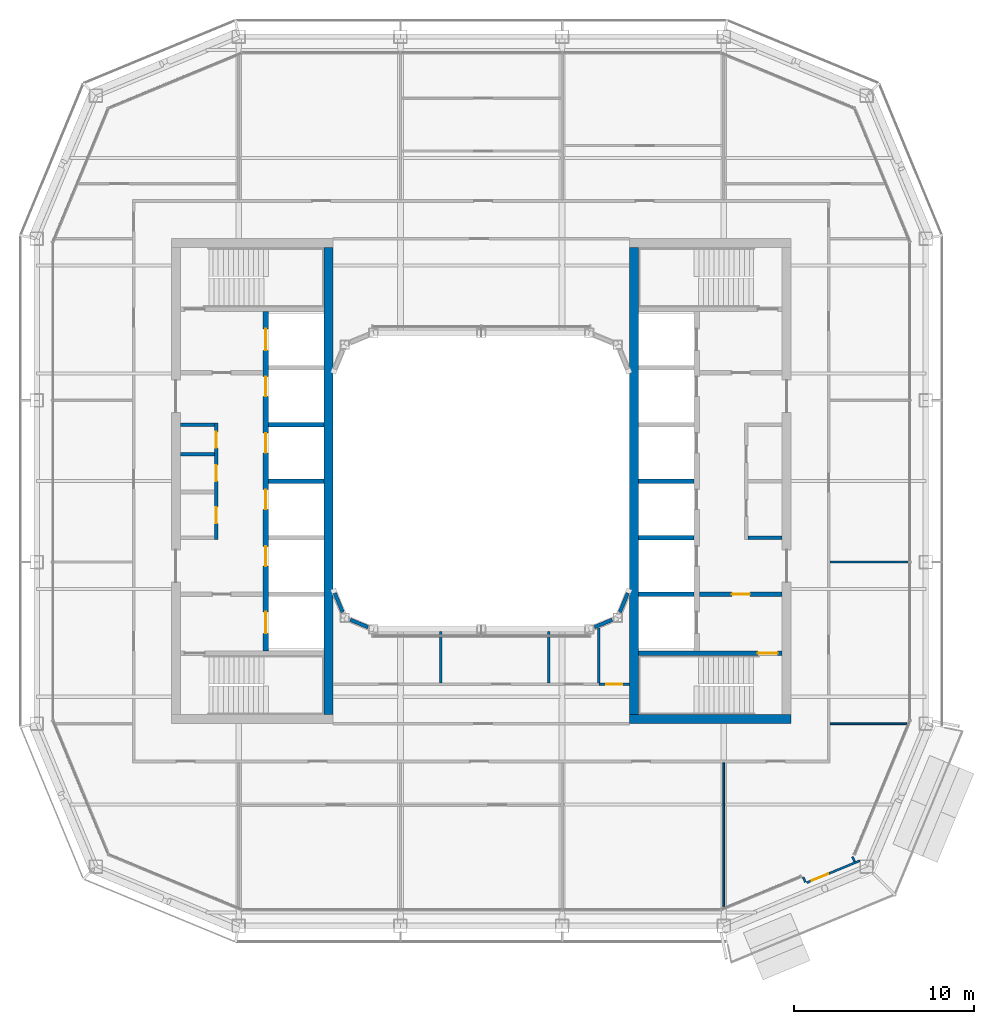
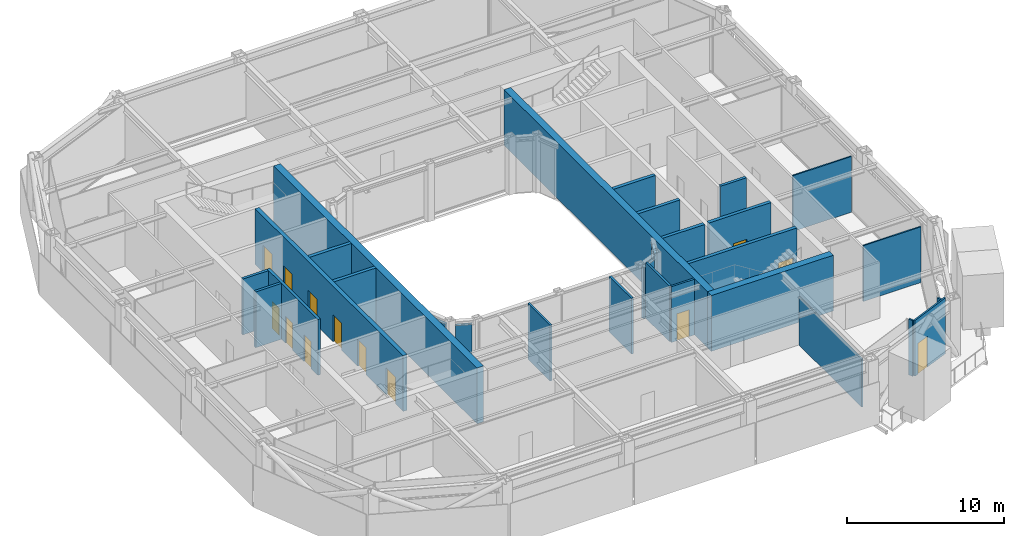
# One storey, part 11 of 21: 29 walls, 13 doors, 13 openings.
"""IFC4 building model written with IfcOpenShell, lengths in metres."""

from ifc_helpers import new_model, si_unit, direction, frame, frame_2d, origin, place, context, subcontext, project, spatial, rectangle, extrude, material, layer, layer_set, type_object, element, fill, save


model = new_model("IFC4")

# Units and contexts
model_context = context("Model", 3, precision=1e-05, world=origin(), true_north=direction((0.0, 1.0)))
body_context = subcontext(model_context, "Body", "Model", "MODEL_VIEW")
ifc_project = project(units=[si_unit("LENGTHUNIT", "METRE"), si_unit("AREAUNIT", "SQUARE_METRE"), si_unit("VOLUMEUNIT", "CUBIC_METRE"), si_unit("PLANEANGLEUNIT", "RADIAN"), si_unit("MASSUNIT", "GRAM", prefix="KILO")], contexts=[model_context])

# Site, building, storey
site_placement = place(None, origin())
site = spatial("IfcSite", under=ifc_project, at=site_placement, CompositionType="ELEMENT")
building_placement = place(site_placement, origin())
building = spatial("IfcBuilding", under=site, at=building_placement, Name="Siwar Civic Tower", CompositionType="ELEMENT")
storey_placement = place(building_placement, frame((0.0, 0.0, 303.199951171875)))
storey = spatial("IfcBuildingStorey", under=building, at=storey_placement, Name="L65", CompositionType="ELEMENT", Elevation=303.199951171875)

# Wall, opening, door
ifc_material_1 = material(Name="Gypsum board on steel studs", Category="steel")
ifc_layer_1 = layer(ifc_material_1, 0.14990234375)
ifc_layer_set_1 = layer_set([ifc_layer_1], Name="Gypsum board on steel studs")
wall_type_1 = type_object("IfcWallType", Name="COMPARTMENT PARTITION 150 EI 60", PredefinedType="PARTITIONING", material=ifc_layer_set_1)
wall_1_placement = place(storey_placement, frame((6.5400390625, -11.300048828125, 0.0), z_axis=(0.0, 0.0, 1.0), x_axis=(1.0, 0.0, 0.0)))
wall_1 = element("IfcWall", 1, at=wall_1_placement, inside=storey, type_object=wall_type_1, Name="L65/wall/P07", PredefinedType="PARTITIONING", context=body_context, shape_type="SweptSolid", body=[
    extrude(rectangle(XDim=1.7099609375, YDim=0.14990234375, at=frame_2d((0.85498046875, 0.0))), origin(), (0.0, 0.0, 1.0), 4.35009765625),
])
opening_1_placement = place(wall_1_placement, frame((0.409912109375, 0.0, 0.0)))
opening_1 = element("IfcOpeningElement", 2, at=opening_1_placement, cuts=wall_1, Name="Opening D4", PredefinedType="OPENING", context=body_context, shape_type="SweptSolid", body=[
    extrude(rectangle(XDim=0.89990234375, YDim=2.10009765625, at=frame_2d((0.449951171875, 1.050048828125))), frame((0.0, 0.0849609375, 0.0), z_axis=(0.0, -1.0, 0.0), x_axis=(1.0, 0.0, 0.0)), (0.0, 0.0, 1.0), 0.169921875),
])
ifc_material_2 = material(Name="Timber, painted", Category="wood")
door_type_1 = type_object("IfcDoorType", Name="DOOR 900 X 2100 FD60", OperationType="SINGLE_SWING_LEFT", PredefinedType="DOOR", material=ifc_material_2)
door_1_placement = place(opening_1_placement, origin())
door_1 = element("IfcDoor", 3, at=door_1_placement, inside=storey, type_object=door_type_1, Name="L65-D29", OperationType="SINGLE_SWING_LEFT", OverallHeight=2.10009765625, OverallWidth=0.89990234375, PredefinedType="DOOR", context=body_context, shape_type="SweptSolid", body=[
    extrude(rectangle(XDim=0.89990234375, YDim=2.10009765625, at=frame_2d((0.449951171875, 1.050048828125))), frame((0.0, 0.02490234375, 0.0), z_axis=(0.0, -1.0, 0.0), x_axis=(1.0, 0.0, 0.0)), (0.0, 0.0, 1.0), 0.050048828125),
])
fill(opening_1, door_1)

# Wall
wall_2_placement = place(storey_placement, frame((6.5400390625, -11.22509765625, 0.0), z_axis=(0.0, 0.0, 1.0), x_axis=(0.0, 1.0, 0.0)))
element("IfcWall", 4, at=wall_2_placement, inside=storey, type_object=wall_type_1, Name="L65/wall/P31", PredefinedType="PARTITIONING", context=body_context, shape_type="SweptSolid", body=[
    extrude(rectangle(XDim=3.0390625, YDim=0.14990234375, at=frame_2d((1.51953125, 0.0))), origin(), (0.0, 0.0, 1.0), 4.35009765625),
])

# Wall, openings, doors
ifc_material_3 = material(Name="Gypsum board on steel studs", Category="steel")
ifc_layer_2 = layer(ifc_material_3, 0.199951171875)
ifc_layer_set_2 = layer_set([ifc_layer_2], Name="Gypsum board on steel studs")
wall_type_2 = type_object("IfcWallType", Name="CORE-PARTITION-200", PredefinedType="PARTITIONING", material=ifc_layer_set_2)
wall_3_placement = place(storey_placement, frame((-14.75, -3.25, 0.0), z_axis=(0.0, 0.0, 1.0), x_axis=(0.0, 1.0, 0.0)))
wall_3 = element("IfcWall", 5, at=wall_3_placement, inside=storey, type_object=wall_type_2, Name="Core partition W", PredefinedType="PARTITIONING", context=body_context, shape_type="SweptSolid", body=[
    extrude(rectangle(XDim=6.5, YDim=0.199951171875, at=frame_2d((3.25, 0.0))), origin(), (0.0, 0.0, 1.0), 4.35009765625),
])
opening_2_placement = place(wall_3_placement, frame((0.89990234375, 0.0, 0.0)))
opening_2 = element("IfcOpeningElement", 6, at=opening_2_placement, cuts=wall_3, Name="Opening L65-CW13", PredefinedType="OPENING", context=body_context, shape_type="SweptSolid", body=[
    extrude(rectangle(XDim=0.89990234375, YDim=2.10009765625, at=frame_2d((0.449951171875, 1.050048828125))), frame((0.0, 0.10986328125, 0.0), z_axis=(0.0, -1.0, 0.0), x_axis=(1.0, 0.0, 0.0)), (0.0, 0.0, 1.0), 0.219970703125),
])
opening_3_placement = place(wall_3_placement, frame((3.25, 0.0, 0.0)))
opening_3 = element("IfcOpeningElement", 7, at=opening_3_placement, cuts=wall_3, Name="Opening L65-CW14", PredefinedType="OPENING", context=body_context, shape_type="SweptSolid", body=[
    extrude(rectangle(XDim=0.89990234375, YDim=2.10009765625, at=frame_2d((0.449951171875, 1.050048828125))), frame((0.0, 0.10986328125, 0.0), z_axis=(0.0, -1.0, 0.0), x_axis=(1.0, 0.0, 0.0)), (0.0, 0.0, 1.0), 0.219970703125),
])
opening_4_placement = place(wall_3_placement, frame((5.10009765625, 0.0, 0.0)))
opening_4 = element("IfcOpeningElement", 8, at=opening_4_placement, cuts=wall_3, Name="Opening L65-CW15", PredefinedType="OPENING", context=body_context, shape_type="SweptSolid", body=[
    extrude(rectangle(XDim=0.89990234375, YDim=2.10009765625, at=frame_2d((0.449951171875, 1.050048828125))), frame((0.0, 0.10986328125, 0.0), z_axis=(0.0, -1.0, 0.0), x_axis=(1.0, 0.0, 0.0)), (0.0, 0.0, 1.0), 0.219970703125),
])
ifc_material_4 = material(Name="Steel door leaf", Category="steel")
door_type_2 = type_object("IfcDoorType", Name="CORE-DOOR-ROOM", OperationType="SINGLE_SWING_LEFT", PredefinedType="DOOR", material=ifc_material_4)
door_2_placement = place(opening_2_placement, origin())
door_2 = element("IfcDoor", 9, at=door_2_placement, inside=storey, type_object=door_type_2, Name="Core room door L65-CW13", OperationType="SINGLE_SWING_RIGHT", OverallHeight=2.10009765625, OverallWidth=0.89990234375, PredefinedType="DOOR", context=body_context, shape_type="SweptSolid", body=[
    extrude(rectangle(XDim=0.89990234375, YDim=2.10009765625, at=frame_2d((0.449951171875, 1.050048828125))), frame((0.0, 0.02490234375, 0.0), z_axis=(0.0, -1.0, 0.0), x_axis=(1.0, 0.0, 0.0)), (0.0, 0.0, 1.0), 0.050048828125),
])
fill(opening_2, door_2)
door_3_placement = place(opening_3_placement, origin())
door_3 = element("IfcDoor", 10, at=door_3_placement, inside=storey, type_object=door_type_2, Name="Core room door L65-CW14", OperationType="SINGLE_SWING_RIGHT", OverallHeight=2.10009765625, OverallWidth=0.89990234375, PredefinedType="DOOR", context=body_context, shape_type="SweptSolid", body=[
    extrude(rectangle(XDim=0.89990234375, YDim=2.10009765625, at=frame_2d((0.449951171875, 1.050048828125))), frame((0.0, 0.02490234375, 0.0), z_axis=(0.0, -1.0, 0.0), x_axis=(1.0, 0.0, 0.0)), (0.0, 0.0, 1.0), 0.050048828125),
])
fill(opening_3, door_3)
door_4_placement = place(opening_4_placement, origin())
door_4 = element("IfcDoor", 11, at=door_4_placement, inside=storey, type_object=door_type_2, Name="Core room door L65-CW15", OperationType="SINGLE_SWING_RIGHT", OverallHeight=2.10009765625, OverallWidth=0.89990234375, PredefinedType="DOOR", context=body_context, shape_type="SweptSolid", body=[
    extrude(rectangle(XDim=0.89990234375, YDim=2.10009765625, at=frame_2d((0.449951171875, 1.050048828125))), frame((0.0, 0.02490234375, 0.0), z_axis=(0.0, -1.0, 0.0), x_axis=(1.0, 0.0, 0.0)), (0.0, 0.0, 1.0), 0.050048828125),
])
fill(opening_4, door_4)

# Walls
for number, where, z_axis, x_axis, name in (
    (12, (-14.85009765625, 3.14990234375, 0.0), (0.0, 0.0, 1.0), (-1.0, 0.0, 0.0), "Core partition W"),
    (13, (-14.85009765625, 1.5, 0.0), (0.0, 0.0, 1.0), (-1.0, 0.0, 0.0), "Core partition W"),
    (14, (14.85009765625, -3.14990234375, 0.0), (0.0, 0.0, 1.0), (1.0, 0.0, 0.0), "Core partition E"),
):
    element("IfcWall", number, at=place(storey_placement, frame(where, z_axis=z_axis, x_axis=x_axis)), inside=storey, type_object=wall_type_2, Name=name, PredefinedType="PARTITIONING", context=body_context, shape_type="SweptSolid", body=[
        extrude(rectangle(XDim=1.89990234375, YDim=0.199951171875, at=frame_2d((0.949951171875, 0.0))), origin(), (0.0, 0.0, 1.0), 4.35009765625),
    ])
ifc_material_5 = material(Name="Concrete C60/75", Category="concrete")
ifc_layer_3 = layer(ifc_material_5, 0.25)
ifc_layer_set_3 = layer_set([ifc_layer_3], Name="Concrete C60/75")
wall_type_3 = type_object("IfcWallType", Name="CORE-WALL-RC250", PredefinedType="SHEAR", material=ifc_layer_set_3)
for number, where, z_axis, x_axis, name in (
    (15, (-8.75, 0.0, 0.0), (0.0, 0.0, 1.0), (-1.0, 0.0, 0.0), "Core wall W"),
    (16, (-8.75, 3.14990234375, 0.0), (0.0, 0.0, 1.0), (-1.0, 0.0, 0.0), "Core wall W"),
):
    element("IfcWall", number, at=place(storey_placement, frame(where, z_axis=z_axis, x_axis=x_axis)), inside=storey, type_object=wall_type_3, Name=name, PredefinedType="SHEAR", context=body_context, shape_type="SweptSolid", body=[
        extrude(rectangle(XDim=3.10009765625, YDim=0.25, at=frame_2d((1.550048828125, 0.0))), origin(), (0.0, 0.0, 1.0), 4.35009765625),
    ])

# Wall, opening, door
wall_4_placement = place(storey_placement, frame((12.14990234375, -6.300048828125, 0.0), z_axis=(0.0, 0.0, 1.0), x_axis=(1.0, 0.0, 0.0)))
wall_4 = element("IfcWall", 17, at=wall_4_placement, inside=storey, type_object=wall_type_3, Name="Core wall E", PredefinedType="SHEAR", context=body_context, shape_type="SweptSolid", body=[
    extrude(rectangle(XDim=4.60009765625, YDim=0.25, at=frame_2d((2.300048828125, 0.0))), origin(), (0.0, 0.0, 1.0), 4.35009765625),
])
opening_5_placement = place(wall_4_placement, frame((1.800048828125, 0.0, 0.0)))
opening_5 = element("IfcOpeningElement", 18, at=opening_5_placement, cuts=wall_4, Name="Opening L65-CE02", PredefinedType="OPENING", context=body_context, shape_type="SweptSolid", body=[
    extrude(rectangle(XDim=1.0, YDim=2.10009765625, at=frame_2d((0.5, 1.050048828125))), frame((0.0, 0.135009765625, 0.0), z_axis=(0.0, -1.0, 0.0), x_axis=(1.0, 0.0, 0.0)), (0.0, 0.0, 1.0), 0.27001953125),
])
ifc_material_6 = material(Name="Steel door leaf", Category="steel")
door_type_3 = type_object("IfcDoorType", Name="CORE-DOOR-FD30S", OperationType="SINGLE_SWING_LEFT", PredefinedType="DOOR", material=ifc_material_6)
door_5_placement = place(opening_5_placement, origin())
door_5 = element("IfcDoor", 19, at=door_5_placement, inside=storey, type_object=door_type_3, Name="Service lobby door L65-CE02", OperationType="SINGLE_SWING_LEFT", OverallHeight=2.10009765625, OverallWidth=1.0, PredefinedType="DOOR", context=body_context, shape_type="SweptSolid", body=[
    extrude(rectangle(XDim=1.0, YDim=2.10009765625, at=frame_2d((0.5, 1.050048828125))), frame((0.0, 0.02490234375, 0.0), z_axis=(0.0, -1.0, 0.0), x_axis=(1.0, 0.0, 0.0)), (0.0, 0.0, 1.0), 0.050048828125),
])
fill(opening_5, door_5)

# Walls
for number, where, z_axis, x_axis, name in (
    (20, (8.75, 0.0, 0.0), (0.0, 0.0, 1.0), (1.0, 0.0, 0.0), "Core wall E"),
    (21, (8.75, -3.14990234375, 0.0), (0.0, 0.0, 1.0), (1.0, 0.0, 0.0), "Core wall E"),
    (22, (8.75, -6.300048828125, 0.0), (0.0, 0.0, 1.0), (1.0, 0.0, 0.0), "Core wall E"),
):
    element("IfcWall", number, at=place(storey_placement, frame(where, z_axis=z_axis, x_axis=x_axis)), inside=storey, type_object=wall_type_3, Name=name, PredefinedType="SHEAR", context=body_context, shape_type="SweptSolid", body=[
        extrude(rectangle(XDim=3.10009765625, YDim=0.25, at=frame_2d((1.550048828125, 0.0))), origin(), (0.0, 0.0, 1.0), 4.35009765625),
    ])

# Wall, opening, door
wall_5_placement = place(storey_placement, frame((8.75, -9.574951171875, 0.0), z_axis=(0.0, 0.0, 1.0), x_axis=(1.0, 0.0, 0.0)))
wall_5 = element("IfcWall", 23, at=wall_5_placement, inside=storey, type_object=wall_type_3, Name="Core wall E", PredefinedType="SHEAR", context=body_context, shape_type="SweptSolid", body=[
    extrude(rectangle(XDim=8.0, YDim=0.25, at=frame_2d((4.0, 0.0))), origin(), (0.0, 0.0, 1.0), 4.35009765625),
])
opening_6_placement = place(wall_5_placement, frame((6.64990234375, 0.0, 0.0)))
opening_6 = element("IfcOpeningElement", 24, at=opening_6_placement, cuts=wall_5, Name="Opening L65-CE04", PredefinedType="OPENING", context=body_context, shape_type="SweptSolid", body=[
    extrude(rectangle(XDim=1.10009765625, YDim=2.10009765625, at=frame_2d((0.550048828125, 1.050048828125))), frame((0.0, 0.135009765625, 0.0), z_axis=(0.0, -1.0, 0.0), x_axis=(1.0, 0.0, 0.0)), (0.0, 0.0, 1.0), 0.27001953125),
])
ifc_material_7 = material(Name="Steel door leaf", Category="steel")
door_type_4 = type_object("IfcDoorType", Name="CORE-DOOR-FD60S", OperationType="SINGLE_SWING_LEFT", PredefinedType="DOOR", material=ifc_material_7)
door_6_placement = place(opening_6_placement, origin())
door_6 = element("IfcDoor", 25, at=door_6_placement, inside=storey, type_object=door_type_4, Name="Stair door L65-CE04", OperationType="SINGLE_SWING_RIGHT", OverallHeight=2.10009765625, OverallWidth=1.10009765625, PredefinedType="DOOR", context=body_context, shape_type="SweptSolid", body=[
    extrude(rectangle(XDim=1.10009765625, YDim=2.10009765625, at=frame_2d((0.550048828125, 1.050048828125))), frame((0.0, 0.02490234375, 0.0), z_axis=(0.0, -1.0, 0.0), x_axis=(1.0, 0.0, 0.0)), (0.0, 0.0, 1.0), 0.050048828125),
])
fill(opening_6, door_6)

# Wall, openings, doors
ifc_material_8 = material(Name="Concrete C60/75", Category="concrete")
ifc_layer_4 = layer(ifc_material_8, 0.300048828125)
ifc_layer_set_4 = layer_set([ifc_layer_4], Name="Concrete C60/75")
wall_type_4 = type_object("IfcWallType", Name="CORE-WALL-RC300", PredefinedType="SHEAR", material=ifc_layer_set_4)
wall_6_placement = place(storey_placement, frame((-12.0, -9.449951171875, 0.0), z_axis=(0.0, 0.0, 1.0), x_axis=(0.0, 1.0, 0.0)))
wall_6 = element("IfcWall", 26, at=wall_6_placement, inside=storey, type_object=wall_type_4, Name="Core wall W", PredefinedType="SHEAR", context=body_context, shape_type="SweptSolid", body=[
    extrude(rectangle(XDim=18.89990234375, YDim=0.300048828125, at=frame_2d((9.449951171875, 0.0))), origin(), (0.0, 0.0, 1.0), 4.35009765625),
])
opening_7_placement = place(wall_6_placement, frame((4.72509765625, 0.0, 0.0)))
opening_7 = element("IfcOpeningElement", 27, at=opening_7_placement, cuts=wall_6, Name="Opening L65-CW07", PredefinedType="OPENING", context=body_context, shape_type="SweptSolid", body=[
    extrude(rectangle(XDim=1.10009765625, YDim=2.10009765625, at=frame_2d((0.550048828125, 1.050048828125))), frame((0.0, 0.16015625, 0.0), z_axis=(0.0, -1.0, 0.0), x_axis=(1.0, 0.0, 0.0)), (0.0, 0.0, 1.0), 0.320068359375),
])
opening_8_placement = place(wall_6_placement, frame((7.875, 0.0, 0.0)))
opening_8 = element("IfcOpeningElement", 28, at=opening_8_placement, cuts=wall_6, Name="Opening L65-CW08", PredefinedType="OPENING", context=body_context, shape_type="SweptSolid", body=[
    extrude(rectangle(XDim=1.10009765625, YDim=2.10009765625, at=frame_2d((0.550048828125, 1.050048828125))), frame((0.0, 0.16015625, 0.0), z_axis=(0.0, -1.0, 0.0), x_axis=(1.0, 0.0, 0.0)), (0.0, 0.0, 1.0), 0.320068359375),
])
opening_9_placement = place(wall_6_placement, frame((11.02490234375, 0.0, 0.0)))
opening_9 = element("IfcOpeningElement", 29, at=opening_9_placement, cuts=wall_6, Name="Opening L65-CW09", PredefinedType="OPENING", context=body_context, shape_type="SweptSolid", body=[
    extrude(rectangle(XDim=1.10009765625, YDim=2.10009765625, at=frame_2d((0.550048828125, 1.050048828125))), frame((0.0, 0.16015625, 0.0), z_axis=(0.0, -1.0, 0.0), x_axis=(1.0, 0.0, 0.0)), (0.0, 0.0, 1.0), 0.320068359375),
])
opening_10_placement = place(wall_6_placement, frame((14.175048828125, 0.0, 0.0)))
opening_10 = element("IfcOpeningElement", 30, at=opening_10_placement, cuts=wall_6, Name="Opening L65-CW10", PredefinedType="OPENING", context=body_context, shape_type="SweptSolid", body=[
    extrude(rectangle(XDim=1.10009765625, YDim=2.10009765625, at=frame_2d((0.550048828125, 1.050048828125))), frame((0.0, 0.16015625, 0.0), z_axis=(0.0, -1.0, 0.0), x_axis=(1.0, 0.0, 0.0)), (0.0, 0.0, 1.0), 0.320068359375),
])
opening_11_placement = place(wall_6_placement, frame((16.72509765625, 0.0, 0.0)))
opening_11 = element("IfcOpeningElement", 31, at=opening_11_placement, cuts=wall_6, Name="Opening L65-CW11", PredefinedType="OPENING", context=body_context, shape_type="SweptSolid", body=[
    extrude(rectangle(XDim=1.199951171875, YDim=2.10009765625, at=frame_2d((0.60009765625, 1.050048828125))), frame((0.0, 0.16015625, 0.0), z_axis=(0.0, -1.0, 0.0), x_axis=(1.0, 0.0, 0.0)), (0.0, 0.0, 1.0), 0.320068359375),
])
opening_12_placement = place(wall_6_placement, frame((0.97509765625, 0.0, 0.0)))
opening_12 = element("IfcOpeningElement", 32, at=opening_12_placement, cuts=wall_6, Name="Opening L65-CW12", PredefinedType="OPENING", context=body_context, shape_type="SweptSolid", body=[
    extrude(rectangle(XDim=1.199951171875, YDim=2.10009765625, at=frame_2d((0.60009765625, 1.050048828125))), frame((0.0, 0.16015625, 0.0), z_axis=(0.0, -1.0, 0.0), x_axis=(1.0, 0.0, 0.0)), (0.0, 0.0, 1.0), 0.320068359375),
])
ifc_material_9 = material(Name="Steel door leaf", Category="steel")
door_type_5 = type_object("IfcDoorType", Name="CORE-DOOR-LD", OperationType="DOUBLE_DOOR_SLIDING", PredefinedType="DOOR", material=ifc_material_9)
door_7_placement = place(opening_7_placement, origin())
door_7 = element("IfcDoor", 33, at=door_7_placement, inside=storey, type_object=door_type_5, Name="Landing door HR1 L65-CW07", OperationType="DOUBLE_DOOR_SLIDING", OverallHeight=2.10009765625, OverallWidth=1.10009765625, PredefinedType="DOOR", context=body_context, shape_type="SweptSolid", body=[
    extrude(rectangle(XDim=1.10009765625, YDim=2.10009765625, at=frame_2d((0.550048828125, 1.050048828125))), frame((0.0, 0.02490234375, 0.0), z_axis=(0.0, -1.0, 0.0), x_axis=(1.0, 0.0, 0.0)), (0.0, 0.0, 1.0), 0.050048828125),
])
fill(opening_7, door_7)
door_8_placement = place(opening_8_placement, origin())
door_8 = element("IfcDoor", 34, at=door_8_placement, inside=storey, type_object=door_type_5, Name="Landing door HR2 L65-CW08", OperationType="DOUBLE_DOOR_SLIDING", OverallHeight=2.10009765625, OverallWidth=1.10009765625, PredefinedType="DOOR", context=body_context, shape_type="SweptSolid", body=[
    extrude(rectangle(XDim=1.10009765625, YDim=2.10009765625, at=frame_2d((0.550048828125, 1.050048828125))), frame((0.0, 0.02490234375, 0.0), z_axis=(0.0, -1.0, 0.0), x_axis=(1.0, 0.0, 0.0)), (0.0, 0.0, 1.0), 0.050048828125),
])
fill(opening_8, door_8)
door_9_placement = place(opening_9_placement, origin())
door_9 = element("IfcDoor", 35, at=door_9_placement, inside=storey, type_object=door_type_5, Name="Landing door HR3 L65-CW09", OperationType="DOUBLE_DOOR_SLIDING", OverallHeight=2.10009765625, OverallWidth=1.10009765625, PredefinedType="DOOR", context=body_context, shape_type="SweptSolid", body=[
    extrude(rectangle(XDim=1.10009765625, YDim=2.10009765625, at=frame_2d((0.550048828125, 1.050048828125))), frame((0.0, 0.02490234375, 0.0), z_axis=(0.0, -1.0, 0.0), x_axis=(1.0, 0.0, 0.0)), (0.0, 0.0, 1.0), 0.050048828125),
])
fill(opening_9, door_9)
door_10_placement = place(opening_10_placement, origin())
door_10 = element("IfcDoor", 36, at=door_10_placement, inside=storey, type_object=door_type_5, Name="Landing door HR4 L65-CW10", OperationType="DOUBLE_DOOR_SLIDING", OverallHeight=2.10009765625, OverallWidth=1.10009765625, PredefinedType="DOOR", context=body_context, shape_type="SweptSolid", body=[
    extrude(rectangle(XDim=1.10009765625, YDim=2.10009765625, at=frame_2d((0.550048828125, 1.050048828125))), frame((0.0, 0.02490234375, 0.0), z_axis=(0.0, -1.0, 0.0), x_axis=(1.0, 0.0, 0.0)), (0.0, 0.0, 1.0), 0.050048828125),
])
fill(opening_10, door_10)
ifc_material_10 = material(Name="Steel door leaf", Category="steel")
door_type_6 = type_object("IfcDoorType", Name="CORE-DOOR-LDW", OperationType="DOUBLE_DOOR_SLIDING", PredefinedType="DOOR", material=ifc_material_10)
door_11_placement = place(opening_11_placement, origin())
door_11 = element("IfcDoor", 37, at=door_11_placement, inside=storey, type_object=door_type_6, Name="Landing door FF1 L65-CW11", OperationType="DOUBLE_DOOR_SLIDING", OverallHeight=2.10009765625, OverallWidth=1.199951171875, PredefinedType="DOOR", context=body_context, shape_type="SweptSolid", body=[
    extrude(rectangle(XDim=1.199951171875, YDim=2.10009765625, at=frame_2d((0.60009765625, 1.050048828125))), frame((0.0, 0.02490234375, 0.0), z_axis=(0.0, -1.0, 0.0), x_axis=(1.0, 0.0, 0.0)), (0.0, 0.0, 1.0), 0.050048828125),
])
fill(opening_11, door_11)
door_12_placement = place(opening_12_placement, origin())
door_12 = element("IfcDoor", 38, at=door_12_placement, inside=storey, type_object=door_type_6, Name="Landing door SV1 L65-CW12", OperationType="DOUBLE_DOOR_SLIDING", OverallHeight=2.10009765625, OverallWidth=1.199951171875, PredefinedType="DOOR", context=body_context, shape_type="SweptSolid", body=[
    extrude(rectangle(XDim=1.199951171875, YDim=2.10009765625, at=frame_2d((0.60009765625, 1.050048828125))), frame((0.0, 0.02490234375, 0.0), z_axis=(0.0, -1.0, 0.0), x_axis=(1.0, 0.0, 0.0)), (0.0, 0.0, 1.0), 0.050048828125),
])
fill(opening_12, door_12)

# Walls
ifc_material_11 = material(Name="Concrete C60/75", Category="concrete")
ifc_layer_5 = layer(ifc_material_11, 0.5)
ifc_layer_set_5 = layer_set([ifc_layer_5], Name="Concrete C60/75")
wall_type_5 = type_object("IfcWallType", Name="CORE-WALL-RC500", PredefinedType="SHEAR", material=ifc_layer_set_5)
wall_7_placement = place(storey_placement, frame((8.25, -13.25, 0.0), z_axis=(0.0, 0.0, 1.0), x_axis=(1.0, 0.0, 0.0)))
element("IfcWall", 39, at=wall_7_placement, inside=storey, type_object=wall_type_5, Name="Core wall E", PredefinedType="SHEAR", context=body_context, shape_type="SweptSolid", body=[
    extrude(rectangle(XDim=9.0, YDim=0.5, at=frame_2d((4.5, 0.0))), origin(), (0.0, 0.0, 1.0), 4.35009765625),
])
ifc_material_12 = material(Name="Concrete C60/75", Category="concrete")
ifc_layer_6 = layer(ifc_material_12, 0.5)
ifc_layer_set_6 = layer_set([ifc_layer_6], Name="Concrete C60/75")
wall_type_6 = type_object("IfcWallType", Name="CORE-WALL-RC500-EXT", PredefinedType="SHEAR", material=ifc_layer_set_6)
for number, where, z_axis, x_axis, name in (
    (40, (-8.5, -13.0, 0.0), (0.0, 0.0, 1.0), (0.0, 1.0, 0.0), "Core wall W"),
    (41, (8.5, -13.0, 0.0), (0.0, 0.0, 1.0), (0.0, 1.0, 0.0), "Core wall E"),
):
    element("IfcWall", number, at=place(storey_placement, frame(where, z_axis=z_axis, x_axis=x_axis)), inside=storey, type_object=wall_type_6, Name=name, PredefinedType="SHEAR", context=body_context, shape_type="SweptSolid", body=[
        extrude(rectangle(XDim=26.0, YDim=0.5, at=frame_2d((13.0, 0.0))), origin(), (0.0, 0.0, 1.0), 4.35009765625),
    ])
ifc_material_13 = material(Name="Gypsum board on steel studs", Category="steel")
ifc_layer_7 = layer(ifc_material_13, 0.14990234375)
ifc_layer_set_7 = layer_set([ifc_layer_7], Name="Gypsum board on steel studs")
wall_type_7 = type_object("IfcWallType", Name="CORRIDOR PARTITION 150 EI 30", PredefinedType="PARTITIONING", material=ifc_layer_set_7)
for number, where, z_axis, x_axis, name in (
    (42, (-2.25, -11.22509765625, 0.0), (0.0, 0.0, 1.0), (0.0, 1.0, 0.0), "L65/wall/P27"),
    (43, (3.75, -11.22509765625, 0.0), (0.0, 0.0, 1.0), (0.0, 1.0, 0.0), "L65/wall/P28"),
):
    element("IfcWall", number, at=place(storey_placement, frame(where, z_axis=z_axis, x_axis=x_axis)), inside=storey, type_object=wall_type_7, Name=name, PredefinedType="PARTITIONING", context=body_context, shape_type="SweptSolid", body=[
        extrude(rectangle(XDim=2.85498046875, YDim=0.14990234375, at=frame_2d((1.427490234375, 0.0))), origin(), (0.0, 0.0, 1.0), 4.35009765625),
    ])
ifc_material_14 = material(Name="Aluminium clad insulated panel", Category="aluminium")
ifc_layer_8 = layer(ifc_material_14, 0.1201171875)
ifc_layer_set_8 = layer_set([ifc_layer_8], Name="Aluminium clad insulated panel")
wall_type_8 = type_object("IfcWallType", Name="ENV-WALL-BAL", PredefinedType="STANDARD", material=ifc_layer_set_8)
wall_8_placement = place(storey_placement, frame((17.91748046875, -22.03271484375, 0.0), z_axis=(0.0, 0.0, 1.0), x_axis=(0.382769136873, -0.923844027884, 0.0)))
element("IfcWall", 44, at=wall_8_placement, inside=storey, type_object=wall_type_8, Name="Balcony door wall return SE1", PredefinedType="STANDARD", context=body_context, shape_type="SweptSolid", body=[
    extrude(rectangle(XDim=0.31005859375, YDim=0.1201171875, at=frame_2d((0.155029296875, 0.0))), origin(), (0.0, 0.0, 1.0), 4.35009765625),
])
wall_9_placement = place(storey_placement, frame((20.66015625, -20.896484375, 0.0), z_axis=(0.0, 0.0, 1.0), x_axis=(0.382490814953, -0.923959293734, 0.0)))
element("IfcWall", 45, at=wall_9_placement, inside=storey, type_object=wall_type_8, Name="Balcony door wall return SE1", PredefinedType="STANDARD", context=body_context, shape_type="SweptSolid", body=[
    extrude(rectangle(XDim=0.310302734375, YDim=0.1201171875, at=frame_2d((0.1552734375, 0.0))), origin(), (0.0, 0.0, 1.0), 4.35009765625),
])

# Wall, opening, door
wall_10_placement = place(storey_placement, frame((18.114501953125, -22.3515625, 0.0), z_axis=(0.0, 0.0, 1.0), x_axis=(0.923880552517, 0.382680969843, 0.0)))
wall_10 = element("IfcWall", 46, at=wall_10_placement, inside=storey, type_object=wall_type_8, Name="Balcony door wall SE1", PredefinedType="STANDARD", context=body_context, shape_type="SweptSolid", body=[
    extrude(rectangle(XDim=3.209716796875, YDim=0.1201171875, at=frame_2d((1.60498046875, 0.0))), origin(), (0.0, 0.0, 1.0), 4.35009765625),
])
opening_13_placement = place(wall_10_placement, frame((0.300048828125, 0.0, 0.0)))
opening_13 = element("IfcOpeningElement", 47, at=opening_13_placement, cuts=wall_10, Name="Opening D-BAL", PredefinedType="OPENING", context=body_context, shape_type="SweptSolid", body=[
    extrude(rectangle(XDim=1.0, YDim=2.39990234375, at=frame_2d((0.5, 1.199951171875))), frame((0.0, 0.070068359375, 0.0), z_axis=(0.0, -1.0, 0.0), x_axis=(1.0, 0.0, 0.0)), (0.0, 0.0, 1.0), 0.14013671875),
])
ifc_material_15 = material(Name="Aluminium and glass", Category="aluminium")
door_type_7 = type_object("IfcDoorType", Name="ENV-DOOR-BAL", OperationType="SINGLE_SWING_LEFT", PredefinedType="DOOR", material=ifc_material_15)
door_13_placement = place(opening_13_placement, origin())
door_13 = element("IfcDoor", 48, at=door_13_placement, inside=storey, type_object=door_type_7, Name="Balcony door SE", OperationType="SINGLE_SWING_LEFT", OverallHeight=2.39990234375, OverallWidth=1.0, PredefinedType="DOOR", context=body_context, shape_type="SweptSolid", body=[
    extrude(rectangle(XDim=1.0, YDim=2.39990234375, at=frame_2d((0.5, 1.199951171875))), frame((0.0, 0.02490234375, 0.0), z_axis=(0.0, -1.0, 0.0), x_axis=(1.0, 0.0, 0.0)), (0.0, 0.0, 1.0), 0.050048828125),
])
fill(opening_13, door_13)

# Walls
ifc_material_16 = material(Name="Aluminium clad insulated panel", Category="aluminium")
ifc_layer_9 = layer(ifc_material_16, 0.199951171875)
ifc_layer_set_9 = layer_set([ifc_layer_9], Name="Aluminium clad insulated panel")
wall_type_9 = type_object("IfcWallType", Name="ENV-WALL-WELL", PredefinedType="STANDARD", material=ifc_layer_set_9)
wall_11_placement = place(storey_placement, frame((6.3017578125, -8.125, 0.0), z_axis=(0.0, 0.0, 1.0), x_axis=(0.923919409248, 0.382587147216, 0.0)))
element("IfcWall", 49, at=wall_11_placement, inside=storey, type_object=wall_type_9, Name="Light well corner wall SE1", PredefinedType="STANDARD", context=body_context, shape_type="SweptSolid", body=[
    extrude(rectangle(XDim=1.06884765625, YDim=0.199951171875, at=frame_2d((0.534423828125, 0.0))), origin(), (0.0, 0.0, 1.0), 4.010009765625),
])
for number, where, z_axis, x_axis, name in (
    (50, (7.716064453125, -7.289306640625, 0.0), (0.0, 0.0, 1.0), (0.382571404949, 0.923925927829, 0.0), "Light well corner wall SE2"),
    (51, (-8.154296875, -6.23095703125, 0.0), (0.0, 0.0, 1.0), (0.382571404949, -0.923925927829, 0.0), "Light well corner wall SW1"),
):
    element("IfcWall", number, at=place(storey_placement, frame(where, z_axis=z_axis, x_axis=x_axis)), inside=storey, type_object=wall_type_9, Name=name, PredefinedType="STANDARD", context=body_context, shape_type="SweptSolid", body=[
        extrude(rectangle(XDim=1.1455078125, YDim=0.199951171875, at=frame_2d((0.57275390625, 0.0))), origin(), (0.0, 0.0, 1.0), 4.010009765625),
    ])
wall_12_placement = place(storey_placement, frame((-7.289306640625, -7.716064453125, 0.0), z_axis=(0.0, 0.0, 1.0), x_axis=(0.923919409248, -0.382587147216, 0.0)))
element("IfcWall", 52, at=wall_12_placement, inside=storey, type_object=wall_type_9, Name="Light well corner wall SW2", PredefinedType="STANDARD", context=body_context, shape_type="SweptSolid", body=[
    extrude(rectangle(XDim=1.06884765625, YDim=0.199951171875, at=frame_2d((0.534423828125, 0.0))), origin(), (0.0, 0.0, 1.0), 4.010009765625),
])
ifc_material_17 = material(Name="Gypsum board on steel studs", Category="steel")
ifc_layer_10 = layer(ifc_material_17, 0.10009765625)
ifc_layer_set_10 = layer_set([ifc_layer_10], Name="Gypsum board on steel studs")
wall_type_10 = type_object("IfcWallType", Name="PARTITION 100 GYPSUM", PredefinedType="PARTITIONING", material=ifc_layer_set_10)
wall_13_placement = place(storey_placement, frame((19.425048828125, -13.5, 0.0), z_axis=(0.0, 0.0, 1.0), x_axis=(1.0, 0.0, 0.0)))
element("IfcWall", 53, at=wall_13_placement, inside=storey, type_object=wall_type_10, Name="L65/wall/P04", PredefinedType="PARTITIONING", context=body_context, shape_type="SweptSolid", body=[
    extrude(rectangle(XDim=4.2529296875, YDim=0.10009765625, at=frame_2d((2.12646484375, 0.0))), origin(), (0.0, 0.0, 1.0), 4.35009765625),
])
wall_14_placement = place(storey_placement, frame((19.425048828125, -4.5, 0.0), z_axis=(0.0, 0.0, 1.0), x_axis=(1.0, 0.0, 0.0)))
element("IfcWall", 54, at=wall_14_placement, inside=storey, type_object=wall_type_10, Name="L65/wall/P09", PredefinedType="PARTITIONING", context=body_context, shape_type="SweptSolid", body=[
    extrude(rectangle(XDim=4.3349609375, YDim=0.10009765625, at=frame_2d((2.16748046875, 0.0))), origin(), (0.0, 0.0, 1.0), 4.35009765625),
])
wall_15_placement = place(storey_placement, frame((13.5, -23.677978515625, 0.0), z_axis=(0.0, 0.0, 1.0), x_axis=(0.0, 1.0, 0.0)))
element("IfcWall", 55, at=wall_15_placement, inside=storey, type_object=wall_type_10, Name="L65/wall/P32", PredefinedType="PARTITIONING", context=body_context, shape_type="SweptSolid", body=[
    extrude(rectangle(XDim=8.0029296875, YDim=0.10009765625, at=frame_2d((4.00146484375, 0.0))), origin(), (0.0, 0.0, 1.0), 3.75),
])

save(model, "model.ifc")
